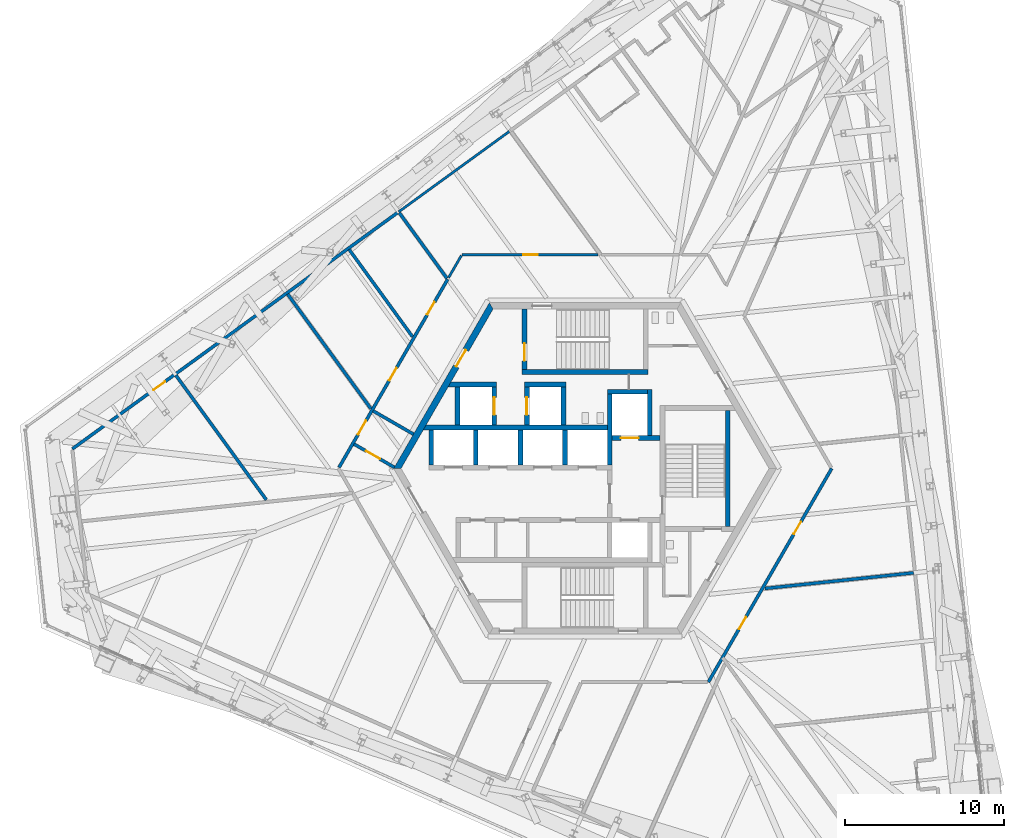
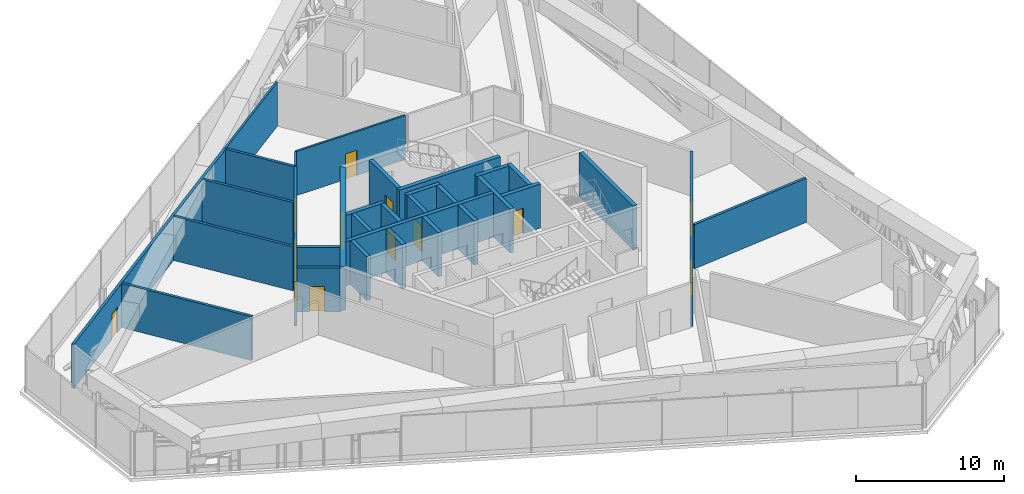
# One storey, part 19 of 30: 32 walls, 13 doors, 13 openings.
"""IFC4 building model written with IfcOpenShell, lengths in metres."""

from ifc_helpers import new_model, si_unit, direction, frame, frame_2d, origin, place, context, subcontext, project, spatial, polyline, rectangle, outline, extrude, source, transform, mapped, material, layer, layer_set, type_object, element, fill, save


model = new_model("IFC4")

# Units and contexts
model_context = context("Model", 3, precision=1e-05, world=origin(), true_north=direction((0.0, 1.0)))
body_context = subcontext(model_context, "Body", "Model", "MODEL_VIEW")
ifc_project = project(units=[si_unit("LENGTHUNIT", "METRE"), si_unit("AREAUNIT", "SQUARE_METRE"), si_unit("VOLUMEUNIT", "CUBIC_METRE"), si_unit("PLANEANGLEUNIT", "RADIAN"), si_unit("MASSUNIT", "GRAM", prefix="KILO")], contexts=[model_context])

# Site, building, storey
site_placement = place(None, origin())
site = spatial("IfcSite", under=ifc_project, at=site_placement, CompositionType="ELEMENT")
building_placement = place(site_placement, origin())
building = spatial("IfcBuilding", under=site, at=building_placement, Name="Triune Harvest Tower", CompositionType="ELEMENT")
storey_placement = place(building_placement, frame((0.0, 0.0, 94.5)))
storey = spatial("IfcBuildingStorey", under=building, at=storey_placement, Name="L23", CompositionType="ELEMENT", Elevation=94.5)

# Walls
ifc_material_1 = material(Name="Concrete 70 MPa", Category="concrete")
ifc_layer_1 = layer(ifc_material_1, 0.300048828125)
ifc_layer_set_1 = layer_set([ifc_layer_1], Name="Concrete 70 MPa")
wall_type_1 = type_object("IfcWallType", Name="Core wall 300", PredefinedType="SHEAR", material=ifc_layer_set_1)
wall_1_placement = place(storey_placement, frame((-9.800048828125, 2.56005859375, 0.0), z_axis=(0.0, 0.0, 1.0), x_axis=(1.0, 0.0, 0.0)))
element("IfcWall", 1, at=wall_1_placement, inside=storey, type_object=wall_type_1, Name="North back wall", PredefinedType="SHEAR", context=body_context, shape_type="SweptSolid", body=[
    extrude(outline(polyline([(11.199951171875, -0.14990234375), (-0.34912109375, -0.14990234375), (-0.17578125, 0.14990234375), (11.199951171875, 0.14990234375), (11.199951171875, -0.14990234375)])), origin(), (0.0, 0.0, 1.0), 3.639892578125),
])
wall_2_placement = place(storey_placement, frame((1.550048828125, 0.2099609375, 0.0), z_axis=(0.0, 0.0, 1.0), x_axis=(0.0, 1.0, 0.0)))
element("IfcWall", 2, at=wall_2_placement, inside=storey, type_object=wall_type_1, Name="Ff1 west wall", PredefinedType="SHEAR", context=body_context, shape_type="SweptSolid", body=[
    extrude(rectangle(XDim=4.449951171875, YDim=0.300048828125, at=frame_2d((2.22509765625, 0.0))), origin(), (0.0, 0.0, 1.0), 3.639892578125),
])
wall_3_placement = place(storey_placement, frame((4.050048828125, 2.06005859375, 0.0), z_axis=(0.0, 0.0, 1.0), x_axis=(0.0, 1.0, 0.0)))
element("IfcWall", 3, at=wall_3_placement, inside=storey, type_object=wall_type_1, Name="Ff1 east wall", PredefinedType="SHEAR", context=body_context, shape_type="SweptSolid", body=[
    extrude(rectangle(XDim=2.89990234375, YDim=0.300048828125, at=frame_2d((1.449951171875, 0.0))), origin(), (0.0, 0.0, 1.0), 3.639892578125),
])
wall_4_placement = place(storey_placement, frame((8.949951171875, -3.64990234375, 0.0), z_axis=(0.0, 0.0, 1.0), x_axis=(0.0, 1.0, 0.0)))
element("IfcWall", 4, at=wall_4_placement, inside=storey, type_object=wall_type_1, Name="Stair e east wall", PredefinedType="SHEAR", context=body_context, shape_type="SweptSolid", body=[
    extrude(rectangle(XDim=7.2998046875, YDim=0.300048828125, at=frame_2d((3.64990234375, 0.0))), origin(), (0.0, 0.0, 1.0), 3.639892578125),
])
wall_5_placement = place(storey_placement, frame((-3.949951171875, 6.0400390625, 0.0), z_axis=(0.0, 0.0, 1.0), x_axis=(1.0, 0.0, 0.0)))
element("IfcWall", 5, at=wall_5_placement, inside=storey, type_object=wall_type_1, Name="Stair n south wall", PredefinedType="SHEAR", context=body_context, shape_type="SweptSolid", body=[
    extrude(rectangle(XDim=7.89990234375, YDim=0.300048828125, at=frame_2d((3.949951171875, 0.0))), origin(), (0.0, 0.0, 1.0), 3.639892578125),
])
wall_6_placement = place(storey_placement, frame((-8.14990234375, 5.260009765625, 0.0), z_axis=(0.0, 0.0, 1.0), x_axis=(1.0, 0.0, 0.0)))
element("IfcWall", 6, at=wall_6_placement, inside=storey, type_object=wall_type_1, Name="Sv1 north wall", PredefinedType="SHEAR", context=body_context, shape_type="SweptSolid", body=[
    extrude(outline(polyline([(2.60009765625, -0.14990234375), (-0.440185546875, -0.14990234375), (-0.26708984375, 0.14990234375), (2.60009765625, 0.14990234375), (2.60009765625, -0.14990234375)])), origin(), (0.0, 0.0, 1.0), 3.639892578125),
])
wall_7_placement = place(storey_placement, frame((-3.800048828125, 5.260009765625, 0.0), z_axis=(0.0, 0.0, 1.0), x_axis=(1.0, 0.0, 0.0)))
element("IfcWall", 7, at=wall_7_placement, inside=storey, type_object=wall_type_1, Name="Sv2 north wall", PredefinedType="SHEAR", context=body_context, shape_type="SweptSolid", body=[
    extrude(rectangle(XDim=2.60009765625, YDim=0.300048828125, at=frame_2d((1.300048828125, 0.0))), origin(), (0.0, 0.0, 1.0), 3.639892578125),
])

# Wall, opening, door
ifc_material_2 = material(Name="Gypsum board on steel studs", Category="steel")
ifc_layer_2 = layer(ifc_material_2, 0.14990234375)
ifc_layer_set_2 = layer_set([ifc_layer_2], Name="Gypsum board on steel studs")
wall_type_2 = type_object("IfcWallType", Name="Fire Partition 150 mm", PredefinedType="PARTITIONING", material=ifc_layer_set_2)
wall_8_placement = place(storey_placement, frame((-7.732177734375, 13.392333984375, 0.0), z_axis=(0.0, 0.0, 1.0), x_axis=(1.0, 0.0, 0.0)))
wall_8 = element("IfcWall", 8, at=wall_8_placement, inside=storey, type_object=wall_type_2, Name="Partition L23 030", PredefinedType="PARTITIONING", context=body_context, shape_type="SweptSolid", body=[
    extrude(rectangle(XDim=8.555419921875, YDim=0.14990234375, at=frame_2d((4.27783203125, 0.0))), origin(), (0.0, 0.0, 1.0), 3.639892578125),
])
opening_1_placement = place(wall_8_placement, frame((3.859130859375, 0.0, 0.0)))
opening_1 = element("IfcOpeningElement", 9, at=opening_1_placement, cuts=wall_8, Name="Opening L23-010", PredefinedType="OPENING", context=body_context, shape_type="SweptSolid", body=[
    extrude(rectangle(XDim=0.89990234375, YDim=2.10009765625, at=frame_2d((0.449951171875, 1.050048828125))), frame((0.0, 0.0849609375, 0.0), z_axis=(0.0, -1.0, 0.0), x_axis=(1.0, 0.0, 0.0)), (0.0, 0.0, 1.0), 0.169921875),
])
ifc_material_3 = material(Name="Timber and steel door set", Category="steel")
door_type_1 = type_object("IfcDoorType", Name="Single leaf door FD30 left hand 900 x 2100", OperationType="SINGLE_SWING_LEFT", PredefinedType="DOOR", material=ifc_material_3)
door_1_placement = place(opening_1_placement, origin())
door_1 = element("IfcDoor", 10, at=door_1_placement, inside=storey, type_object=door_type_1, Name="Door L23-010 Dry Store Room 23.10", OperationType="SINGLE_SWING_LEFT", OverallHeight=2.10009765625, OverallWidth=0.89990234375, PredefinedType="DOOR", context=body_context, shape_type="SweptSolid", body=[
    extrude(rectangle(XDim=0.89990234375, YDim=2.10009765625, at=frame_2d((0.449951171875, 1.050048828125))), frame((0.0, 0.02490234375, 0.0), z_axis=(0.0, -1.0, 0.0), x_axis=(1.0, 0.0, 0.0)), (0.0, 0.0, 1.0), 0.050048828125),
])
fill(opening_1, door_1)

# Walls
wall_9_placement = place(storey_placement, frame((-11.687255859375, 16.091064453125, 0.0), z_axis=(0.0, 0.0, 1.0), x_axis=(0.809001907601, 0.587806016896, 0.0)))
element("IfcWall", 11, at=wall_9_placement, inside=storey, type_object=wall_type_2, Name="Partition L23 045", PredefinedType="PARTITIONING", context=body_context, shape_type="SweptSolid", body=[
    extrude(rectangle(XDim=8.575927734375, YDim=0.14990234375, at=frame_2d((4.2880859375, 0.0))), origin(), (0.0, 0.0, 1.0), 3.639892578125),
])
ifc_material_4 = material(Name="Gypsum board on steel studs", Category="steel")
ifc_layer_3 = layer(ifc_material_4, 0.199951171875)
ifc_layer_set_3 = layer_set([ifc_layer_3], Name="Gypsum board on steel studs")
wall_type_3 = type_object("IfcWallType", Name="Fire Wall 200 mm", PredefinedType="PARTITIONING", material=ifc_layer_set_3)
wall_10_placement = place(storey_placement, frame((-18.650634765625, 10.933349609375, 0.0), z_axis=(0.0, 0.0, 1.0), x_axis=(0.587800328726, -0.809006040491, 0.0)))
element("IfcWall", 12, at=wall_10_placement, inside=storey, type_object=wall_type_3, Name="Partition L23 010", PredefinedType="PARTITIONING", context=body_context, shape_type="SweptSolid", body=[
    extrude(rectangle(XDim=8.874755859375, YDim=0.199951171875, at=frame_2d((4.4375, 0.0))), origin(), (0.0, 0.0, 1.0), 3.639892578125),
])
wall_11_placement = place(storey_placement, frame((-14.79638671875, 13.733642578125, 0.0), z_axis=(0.0, 0.0, 1.0), x_axis=(0.587801927349, -0.809004878975, 0.0)))
element("IfcWall", 13, at=wall_11_placement, inside=storey, type_object=wall_type_3, Name="Partition L23 011", PredefinedType="PARTITIONING", context=body_context, shape_type="SweptSolid", body=[
    extrude(rectangle(XDim=6.75341796875, YDim=0.199951171875, at=frame_2d((3.376708984375, 0.0))), origin(), (0.0, 0.0, 1.0), 3.639892578125),
])
wall_12_placement = place(storey_placement, frame((-11.6435546875, 16.0244140625, 0.0), z_axis=(0.0, 0.0, 1.0), x_axis=(0.587808609928, -0.809000023544, 0.0)))
element("IfcWall", 14, at=wall_12_placement, inside=storey, type_object=wall_type_3, Name="Partition L23 012", PredefinedType="PARTITIONING", context=body_context, shape_type="SweptSolid", body=[
    extrude(rectangle(XDim=5.078369140625, YDim=0.199951171875, at=frame_2d((2.5390625, 0.0))), origin(), (0.0, 0.0, 1.0), 3.639892578125),
])

# Wall, opening, door
wall_13_placement = place(storey_placement, frame((-14.48828125, 1.52978515625, 0.0), z_axis=(0.0, 0.0, 1.0), x_axis=(0.866011526754, -0.500024034951, 0.0)))
wall_13 = element("IfcWall", 15, at=wall_13_placement, inside=storey, type_object=wall_type_3, Name="Partition L23 023", PredefinedType="PARTITIONING", context=body_context, shape_type="SweptSolid", body=[
    extrude(rectangle(XDim=2.919677734375, YDim=0.199951171875, at=frame_2d((1.4599609375, 0.0))), origin(), (0.0, 0.0, 1.0), 3.639892578125),
])
opening_2_placement = place(wall_13_placement, frame((0.8701171875, 0.0, 0.0)))
opening_2 = element("IfcOpeningElement", 16, at=opening_2_placement, cuts=wall_13, Name="Opening L23-021", PredefinedType="OPENING", context=body_context, shape_type="SweptSolid", body=[
    extrude(rectangle(XDim=1.0, YDim=2.10009765625, at=frame_2d((0.5, 1.050048828125))), frame((0.0, 0.10986328125, 0.0), z_axis=(0.0, -1.0, 0.0), x_axis=(1.0, 0.0, 0.0)), (0.0, 0.0, 1.0), 0.219970703125),
])
ifc_material_5 = material(Name="Timber and steel door set", Category="steel")
door_type_2 = type_object("IfcDoorType", Name="Wide single leaf door FD60 left hand 1000 x 2100", OperationType="SINGLE_SWING_LEFT", PredefinedType="DOOR", material=ifc_material_5)
door_2_placement = place(opening_2_placement, origin())
door_2 = element("IfcDoor", 17, at=door_2_placement, inside=storey, type_object=door_type_2, Name="Door L23-021 Refuge Lobby 23.21", OperationType="SINGLE_SWING_LEFT", OverallHeight=2.10009765625, OverallWidth=1.0, PredefinedType="DOOR", context=body_context, shape_type="SweptSolid", body=[
    extrude(rectangle(XDim=1.0, YDim=2.10009765625, at=frame_2d((0.5, 1.050048828125))), frame((0.0, 0.02490234375, 0.0), z_axis=(0.0, -1.0, 0.0), x_axis=(1.0, 0.0, 0.0)), (0.0, 0.0, 1.0), 0.050048828125),
])
fill(opening_2, door_2)

# Walls
wall_14_placement = place(storey_placement, frame((-13.288330078125, 3.6083984375, 0.0), z_axis=(0.0, 0.0, 1.0), x_axis=(0.866032430508, -0.49998782916, 0.0)))
element("IfcWall", 18, at=wall_14_placement, inside=storey, type_object=wall_type_3, Name="Partition L23 024", PredefinedType="PARTITIONING", context=body_context, shape_type="SweptSolid", body=[
    extrude(rectangle(XDim=2.919921875, YDim=0.199951171875, at=frame_2d((1.4599609375, 0.0))), origin(), (0.0, 0.0, 1.0), 3.639892578125),
])
wall_15_placement = place(storey_placement, frame((11.27880859375, -7.5244140625, 0.0), z_axis=(0.0, 0.0, 1.0), x_axis=(0.994521561603, 0.104531638782, 0.0)))
element("IfcWall", 19, at=wall_15_placement, inside=storey, type_object=wall_type_3, Name="Partition L23 036", PredefinedType="PARTITIONING", context=body_context, shape_type="SweptSolid", body=[
    extrude(rectangle(XDim=9.377197265625, YDim=0.199951171875, at=frame_2d((4.6884765625, 0.0))), origin(), (0.0, 0.0, 1.0), 3.639892578125),
])

# Wall, opening, door
wall_16_placement = place(storey_placement, frame((-32.150390625, 1.22314453125, 0.0), z_axis=(0.0, 0.0, 1.0), x_axis=(0.809006047826, 0.587800318629, 0.0)))
wall_16 = element("IfcWall", 20, at=wall_16_placement, inside=storey, type_object=wall_type_3, Name="Partition L23 044", PredefinedType="PARTITIONING", context=body_context, shape_type="SweptSolid", body=[
    extrude(rectangle(XDim=25.294189453125, YDim=0.199951171875, at=frame_2d((12.64697265625, 0.0))), origin(), (0.0, 0.0, 1.0), 3.639892578125),
])
opening_3_placement = place(wall_16_placement, frame((6.30029296875, 0.0, 0.0)))
opening_3 = element("IfcOpeningElement", 21, at=opening_3_placement, cuts=wall_16, Name="Opening L23-014", PredefinedType="OPENING", context=body_context, shape_type="SweptSolid", body=[
    extrude(rectangle(XDim=0.89990234375, YDim=2.10009765625, at=frame_2d((0.449951171875, 1.050048828125))), frame((0.0, 0.10986328125, 0.0), z_axis=(0.0, -1.0, 0.0), x_axis=(1.0, 0.0, 0.0)), (0.0, 0.0, 1.0), 0.219970703125),
])
ifc_material_6 = material(Name="Timber and steel door set", Category="steel")
door_type_3 = type_object("IfcDoorType", Name="Single leaf door FD60 right hand 900 x 2100", OperationType="SINGLE_SWING_RIGHT", PredefinedType="DOOR", material=ifc_material_6)
door_3_placement = place(opening_3_placement, origin())
door_3 = element("IfcDoor", 22, at=door_3_placement, inside=storey, type_object=door_type_3, Name="Door L23-014 Switchgear Plant Room 23.14", OperationType="SINGLE_SWING_RIGHT", OverallHeight=2.10009765625, OverallWidth=0.89990234375, PredefinedType="DOOR", context=body_context, shape_type="SweptSolid", body=[
    extrude(rectangle(XDim=0.89990234375, YDim=2.10009765625, at=frame_2d((0.449951171875, 1.050048828125))), frame((0.0, 0.02490234375, 0.0), z_axis=(0.0, -1.0, 0.0), x_axis=(1.0, 0.0, 0.0)), (0.0, 0.0, 1.0), 0.050048828125),
])
fill(opening_3, door_3)

# Wall, openings, doors
wall_17_placement = place(storey_placement, frame((7.732177734375, -13.392333984375, 0.0), z_axis=(0.0, 0.0, 1.0), x_axis=(0.499993499245, 0.866029156965, 0.0)))
wall_17 = element("IfcWall", 23, at=wall_17_placement, inside=storey, type_object=wall_type_3, Name="Partition L23 049", PredefinedType="PARTITIONING", context=body_context, shape_type="SweptSolid", body=[
    extrude(rectangle(XDim=15.464111328125, YDim=0.199951171875, at=frame_2d((7.73193359375, 0.0))), origin(), (0.0, 0.0, 1.0), 3.639892578125),
])
opening_4_placement = place(wall_17_placement, frame((3.8193359375, 0.0, 0.0)))
opening_4 = element("IfcOpeningElement", 24, at=opening_4_placement, cuts=wall_17, Name="Opening L23-002", PredefinedType="OPENING", context=body_context, shape_type="SweptSolid", body=[
    extrude(rectangle(XDim=0.89990234375, YDim=2.10009765625, at=frame_2d((0.449951171875, 1.050048828125))), frame((0.0, 0.10986328125, 0.0), z_axis=(0.0, -1.0, 0.0), x_axis=(1.0, 0.0, 0.0)), (0.0, 0.0, 1.0), 0.219970703125),
])
opening_5_placement = place(wall_17_placement, frame((10.705078125, 0.0, 0.0)))
opening_5 = element("IfcOpeningElement", 25, at=opening_5_placement, cuts=wall_17, Name="Opening L23-003", PredefinedType="OPENING", context=body_context, shape_type="SweptSolid", body=[
    extrude(rectangle(XDim=0.89990234375, YDim=2.10009765625, at=frame_2d((0.449951171875, 1.050048828125))), frame((0.0, 0.10986328125, 0.0), z_axis=(0.0, -1.0, 0.0), x_axis=(1.0, 0.0, 0.0)), (0.0, 0.0, 1.0), 0.219970703125),
])
ifc_material_7 = material(Name="Timber and steel door set", Category="steel")
door_type_4 = type_object("IfcDoorType", Name="Single leaf door FD60 left hand 900 x 2100", OperationType="SINGLE_SWING_LEFT", PredefinedType="DOOR", material=ifc_material_7)
door_4_placement = place(opening_5_placement, origin())
door_4 = element("IfcDoor", 26, at=door_4_placement, inside=storey, type_object=door_type_4, Name="Door L23-003 Stair Pressurisation Fan Room 23.03", OperationType="SINGLE_SWING_LEFT", OverallHeight=2.10009765625, OverallWidth=0.89990234375, PredefinedType="DOOR", context=body_context, shape_type="SweptSolid", body=[
    extrude(rectangle(XDim=0.89990234375, YDim=2.10009765625, at=frame_2d((0.449951171875, 1.050048828125))), frame((0.0, 0.02490234375, 0.0), z_axis=(0.0, -1.0, 0.0), x_axis=(1.0, 0.0, 0.0)), (0.0, 0.0, 1.0), 0.050048828125),
])
fill(opening_5, door_4)
door_5_placement = place(opening_4_placement, origin())
door_5 = element("IfcDoor", 27, at=door_5_placement, inside=storey, type_object=door_type_3, Name="Door L23-002 Fire Pump Room 23.02", OperationType="SINGLE_SWING_RIGHT", OverallHeight=2.10009765625, OverallWidth=0.89990234375, PredefinedType="DOOR", context=body_context, shape_type="SweptSolid", body=[
    extrude(rectangle(XDim=0.89990234375, YDim=2.10009765625, at=frame_2d((0.449951171875, 1.050048828125))), frame((0.0, 0.02490234375, 0.0), z_axis=(0.0, -1.0, 0.0), x_axis=(1.0, 0.0, 0.0)), (0.0, 0.0, 1.0), 0.050048828125),
])
fill(opening_4, door_5)

wall_18_placement = place(storey_placement, frame((-15.42919921875, 0.060546875, 0.0), z_axis=(0.0, 0.0, 1.0), x_axis=(0.500009852283, 0.866019715491, 0.0)))
wall_18 = element("IfcWall", 28, at=wall_18_placement, inside=storey, type_object=wall_type_3, Name="Partition L23 050", PredefinedType="PARTITIONING", context=body_context, shape_type="SweptSolid", body=[
    extrude(rectangle(XDim=13.628173828125, YDim=0.199951171875, at=frame_2d((6.81396484375, 0.0))), origin(), (0.0, 0.0, 1.0), 3.639892578125),
])
opening_6_placement = place(wall_18_placement, frame((6.307861328125, 0.0, 0.0)))
opening_6 = element("IfcOpeningElement", 29, at=opening_6_placement, cuts=wall_18, Name="Opening L23-011", PredefinedType="OPENING", context=body_context, shape_type="SweptSolid", body=[
    extrude(rectangle(XDim=0.89990234375, YDim=2.10009765625, at=frame_2d((0.449951171875, 1.050048828125))), frame((0.0, 0.10986328125, 0.0), z_axis=(0.0, -1.0, 0.0), x_axis=(1.0, 0.0, 0.0)), (0.0, 0.0, 1.0), 0.219970703125),
])
opening_7_placement = place(wall_18_placement, frame((11.074951171875, 0.0, 0.0)))
opening_7 = element("IfcOpeningElement", 30, at=opening_7_placement, cuts=wall_18, Name="Opening L23-012", PredefinedType="OPENING", context=body_context, shape_type="SweptSolid", body=[
    extrude(rectangle(XDim=0.89990234375, YDim=2.10009765625, at=frame_2d((0.449951171875, 1.050048828125))), frame((0.0, 0.10986328125, 0.0), z_axis=(0.0, -1.0, 0.0), x_axis=(1.0, 0.0, 0.0)), (0.0, 0.0, 1.0), 0.219970703125),
])
opening_8_placement = place(wall_18_placement, frame((2.392822265625, 0.0, 0.0)))
opening_8 = element("IfcOpeningElement", 31, at=opening_8_placement, cuts=wall_18, Name="Opening L23-013", PredefinedType="OPENING", context=body_context, shape_type="SweptSolid", body=[
    extrude(rectangle(XDim=1.0, YDim=2.10009765625, at=frame_2d((0.5, 1.050048828125))), frame((0.0, 0.10986328125, 0.0), z_axis=(0.0, -1.0, 0.0), x_axis=(1.0, 0.0, 0.0)), (0.0, 0.0, 1.0), 0.219970703125),
])
door_6_placement = place(opening_6_placement, origin())
door_6 = element("IfcDoor", 32, at=door_6_placement, inside=storey, type_object=door_type_4, Name="Door L23-011 Telecom Plant Room 23.11", OperationType="SINGLE_SWING_LEFT", OverallHeight=2.10009765625, OverallWidth=0.89990234375, PredefinedType="DOOR", context=body_context, shape_type="SweptSolid", body=[
    extrude(rectangle(XDim=0.89990234375, YDim=2.10009765625, at=frame_2d((0.449951171875, 1.050048828125))), frame((0.0, 0.02490234375, 0.0), z_axis=(0.0, -1.0, 0.0), x_axis=(1.0, 0.0, 0.0)), (0.0, 0.0, 1.0), 0.050048828125),
])
fill(opening_6, door_6)
door_7_placement = place(opening_7_placement, origin())
door_7 = element("IfcDoor", 33, at=door_7_placement, inside=storey, type_object=door_type_3, Name="Door L23-012 Electrical Plant Room 23.12", OperationType="SINGLE_SWING_RIGHT", OverallHeight=2.10009765625, OverallWidth=0.89990234375, PredefinedType="DOOR", context=body_context, shape_type="SweptSolid", body=[
    extrude(rectangle(XDim=0.89990234375, YDim=2.10009765625, at=frame_2d((0.449951171875, 1.050048828125))), frame((0.0, 0.02490234375, 0.0), z_axis=(0.0, -1.0, 0.0), x_axis=(1.0, 0.0, 0.0)), (0.0, 0.0, 1.0), 0.050048828125),
])
fill(opening_7, door_7)
door_8_placement = place(opening_8_placement, origin())
door_8 = element("IfcDoor", 34, at=door_8_placement, inside=storey, type_object=door_type_2, Name="Door L23-013 Refuge Area 23.13", OperationType="SINGLE_SWING_LEFT", OverallHeight=2.10009765625, OverallWidth=1.0, PredefinedType="DOOR", context=body_context, shape_type="SweptSolid", body=[
    extrude(rectangle(XDim=1.0, YDim=2.10009765625, at=frame_2d((0.5, 1.050048828125))), frame((0.0, 0.02490234375, 0.0), z_axis=(0.0, -1.0, 0.0), x_axis=(1.0, 0.0, 0.0)), (0.0, 0.0, 1.0), 0.050048828125),
])
fill(opening_8, door_8)

# Wall, opening, door
ifc_material_8 = material(Name="Concrete 70 MPa", Category="concrete")
ifc_layer_4 = layer(ifc_material_8, 0.39990234375)
ifc_layer_set_4 = layer_set([ifc_layer_4], Name="Concrete 70 MPa")
wall_type_4 = type_object("IfcWallType", Name="Core wall 400", PredefinedType="SHEAR", material=ifc_layer_set_4)
shared_shape_1 = source(origin(), body_context, "Body", "SweptSolid", [
    extrude(outline(polyline([(-0.115478515625, -0.199951171875), (11.884521484375, -0.199951171875), (11.653564453125, 0.199951171875), (0.115478515625, 0.199951171875), (-0.115478515625, -0.199951171875)])), origin(), (0.0, 0.0, 1.0), 3.639892578125),
])
wall_19_placement = place(storey_placement, frame((-5.884521484375, 10.1923828125, 0.0), z_axis=(0.0, 0.0, 1.0), x_axis=(-0.499996592174, -0.866027371285, 0.0)))
wall_19 = element("IfcWall", 35, at=wall_19_placement, inside=storey, type_object=wall_type_4, Name="Hexagon 2 wall", PredefinedType="SHEAR", context=body_context, shape_type="MappedRepresentation", body=[
    mapped(shared_shape_1, transform((0.0, 0.0, 0.0), scale=1.0)),
])
opening_9_placement = place(wall_19_placement, frame((3.1845703125, 0.0, 0.0)))
opening_9 = element("IfcOpeningElement", 36, at=opening_9_placement, cuts=wall_19, Name="Opening CD-SVP", PredefinedType="OPENING", context=body_context, shape_type="SweptSolid", body=[
    extrude(rectangle(XDim=1.199951171875, YDim=2.10009765625, at=frame_2d((0.60009765625, 1.050048828125))), frame((0.0, 0.2099609375, 0.0), z_axis=(0.0, -1.0, 0.0), x_axis=(1.0, 0.0, 0.0)), (0.0, 0.0, 1.0), 0.419921875),
])
ifc_material_9 = material(Name="Steel S235", Category="steel")
door_type_5 = type_object("IfcDoorType", Name="Service door 1200 FD120", OperationType="SINGLE_SWING_LEFT", PredefinedType="DOOR", material=ifc_material_9)
door_9_placement = place(opening_9_placement, frame((1.199951171875, 0.0, 0.0), z_axis=(0.0, 0.0, 1.0), x_axis=(-1.0, 0.0, 0.0)))
door_9 = element("IfcDoor", 37, at=door_9_placement, inside=storey, type_object=door_type_5, Name="Door CD-SVP", OperationType="SINGLE_SWING_RIGHT", OverallHeight=2.10009765625, OverallWidth=1.199951171875, PredefinedType="DOOR", context=body_context, shape_type="SweptSolid", body=[
    extrude(rectangle(XDim=1.199951171875, YDim=2.10009765625, at=frame_2d((0.60009765625, 1.050048828125))), frame((0.0, 0.02490234375, 0.0), z_axis=(0.0, -1.0, 0.0), x_axis=(1.0, 0.0, 0.0)), (0.0, 0.0, 1.0), 0.050048828125),
])
fill(opening_9, door_9)

# Wall
shared_shape_2 = source(origin(), body_context, "Body", "SweptSolid", [
    extrude(rectangle(XDim=2.5, YDim=0.300048828125, at=frame_2d((1.25, 0.0))), origin(), (0.0, 0.0, 1.0), 3.639892578125),
])
wall_20_placement = place(storey_placement, frame((1.39990234375, 4.81005859375, 0.0), z_axis=(0.0, 0.0, 1.0), x_axis=(1.0, 0.0, 0.0)))
element("IfcWall", 38, at=wall_20_placement, inside=storey, type_object=wall_type_1, Name="Ff1 back wall", PredefinedType="SHEAR", context=body_context, shape_type="MappedRepresentation", body=[
    mapped(shared_shape_2, transform((0.0, 0.0, 0.0), scale=1.0)),
])

# Wall, opening, door
shared_shape_3 = source(origin(), body_context, "Body", "SweptSolid", [
    extrude(rectangle(XDim=3.0, YDim=0.300048828125, at=frame_2d((1.5, 0.0))), origin(), (0.0, 0.0, 1.0), 3.639892578125),
])
wall_21_placement = place(storey_placement, frame((1.699951171875, 1.909912109375, 0.0), z_axis=(0.0, 0.0, 1.0), x_axis=(1.0, 0.0, 0.0)))
wall_21 = element("IfcWall", 39, at=wall_21_placement, inside=storey, type_object=wall_type_1, Name="Ff1 front wall", PredefinedType="SHEAR", context=body_context, shape_type="MappedRepresentation", body=[
    mapped(shared_shape_3, transform((0.0, 0.0, 0.0), scale=1.0)),
])
opening_10_placement = place(wall_21_placement, frame((0.550048828125, 0.0, 0.0)))
opening_10 = element("IfcOpeningElement", 40, at=opening_10_placement, cuts=wall_21, Name="Opening LD-FF1-23", PredefinedType="OPENING", context=body_context, shape_type="SweptSolid", body=[
    extrude(rectangle(XDim=1.10009765625, YDim=2.10009765625, at=frame_2d((0.550048828125, 1.050048828125))), frame((0.0, 0.16015625, 0.0), z_axis=(0.0, -1.0, 0.0), x_axis=(1.0, 0.0, 0.0)), (0.0, 0.0, 1.0), 0.320068359375),
])
ifc_material_10 = material(Name="Stainless steel AISI 304", Category="steel")
door_type_6 = type_object("IfcDoorType", Name="Landing door 1100 x 2100", OperationType="DOUBLE_DOOR_SLIDING", PredefinedType="DOOR", material=ifc_material_10)
door_10_placement = place(opening_10_placement, origin())
door_10 = element("IfcDoor", 41, at=door_10_placement, inside=storey, type_object=door_type_6, Name="Door LD-FF1-23", OperationType="DOUBLE_DOOR_SLIDING", OverallHeight=2.10009765625, OverallWidth=1.10009765625, PredefinedType="DOOR", context=body_context, shape_type="SweptSolid", body=[
    extrude(rectangle(XDim=1.10009765625, YDim=2.10009765625, at=frame_2d((0.550048828125, 1.050048828125))), frame((0.0, 0.02490234375, 0.0), z_axis=(0.0, -1.0, 0.0), x_axis=(1.0, 0.0, 0.0)), (0.0, 0.0, 1.0), 0.050048828125),
])
fill(opening_10, door_10)

# Walls
shared_shape_4 = source(origin(), body_context, "Body", "SweptSolid", [
    extrude(rectangle(XDim=2.199951171875, YDim=0.300048828125, at=frame_2d((1.10009765625, 0.0))), origin(), (0.0, 0.0, 1.0), 3.639892578125),
])
for number, where, z_axis, x_axis, name in (
    (42, (-9.64990234375, 0.2099609375, 0.0), (0.0, 0.0, 1.0), (0.0, 1.0, 0.0), "North end west wall"),
    (43, (-6.85009765625, 0.2099609375, 0.0), (0.0, 0.0, 1.0), (0.0, 1.0, 0.0), "North cross 1 wall"),
    (44, (-4.050048828125, 0.2099609375, 0.0), (0.0, 0.0, 1.0), (0.0, 1.0, 0.0), "North cross 2 wall"),
    (45, (-1.25, 0.2099609375, 0.0), (0.0, 0.0, 1.0), (0.0, 1.0, 0.0), "North cross 3 wall"),
):
    element("IfcWall", number, at=place(storey_placement, frame(where, z_axis=z_axis, x_axis=x_axis)), inside=storey, type_object=wall_type_1, Name=name, PredefinedType="SHEAR", context=body_context, shape_type="MappedRepresentation", body=[
        mapped(shared_shape_4, transform((0.0, 0.0, 0.0), scale=1.0)),
    ])

# Wall, opening, door
shared_shape_5 = source(origin(), body_context, "Body", "SweptSolid", [
    extrude(outline(polyline([(0.0, -0.14990234375), (0.0, 0.14990234375), (3.80419921875, 0.14990234375), (3.80419921875, -0.14990234375), (0.0, -0.14990234375)])), origin(), (0.0, 0.0, 1.0), 3.639892578125),
])
wall_22_placement = place(storey_placement, frame((-3.800048828125, 6.18994140625, 0.0), z_axis=(0.0, 0.0, 1.0), x_axis=(0.0, 1.0, 0.0)))
wall_22 = element("IfcWall", 46, at=wall_22_placement, inside=storey, type_object=wall_type_1, Name="Stair n west wall", PredefinedType="SHEAR", context=body_context, shape_type="MappedRepresentation", body=[
    mapped(shared_shape_5, transform((0.0, 0.0, 0.0), scale=1.0)),
])
opening_11_placement = place(wall_22_placement, frame((0.56005859375, 0.0, 0.0)))
opening_11 = element("IfcOpeningElement", 47, at=opening_11_placement, cuts=wall_22, Name="Opening CD-S1L", PredefinedType="OPENING", context=body_context, shape_type="SweptSolid", body=[
    extrude(rectangle(XDim=1.10009765625, YDim=2.10009765625, at=frame_2d((0.550048828125, 1.050048828125))), frame((0.0, 0.16015625, 0.0), z_axis=(0.0, -1.0, 0.0), x_axis=(1.0, 0.0, 0.0)), (0.0, 0.0, 1.0), 0.320068359375),
])
ifc_material_11 = material(Name="Steel S235", Category="steel")
door_type_7 = type_object("IfcDoorType", Name="Stair door 1100 FD120", OperationType="SINGLE_SWING_LEFT", PredefinedType="DOOR", material=ifc_material_11)
door_11_placement = place(opening_11_placement, frame((1.10009765625, 0.0, 0.0), z_axis=(0.0, 0.0, 1.0), x_axis=(-1.0, 0.0, 0.0)))
door_11 = element("IfcDoor", 48, at=door_11_placement, inside=storey, type_object=door_type_7, Name="Door CD-S1L", OperationType="SINGLE_SWING_RIGHT", OverallHeight=2.10009765625, OverallWidth=1.10009765625, PredefinedType="DOOR", context=body_context, shape_type="SweptSolid", body=[
    extrude(rectangle(XDim=1.10009765625, YDim=2.10009765625, at=frame_2d((0.550048828125, 1.050048828125))), frame((0.0, 0.02490234375, 0.0), z_axis=(0.0, -1.0, 0.0), x_axis=(1.0, 0.0, 0.0)), (0.0, 0.0, 1.0), 0.050048828125),
])
fill(opening_11, door_11)

# Wall
shared_shape_6 = source(origin(), body_context, "Body", "SweptSolid", [
    extrude(rectangle(XDim=2.400146484375, YDim=0.300048828125, at=frame_2d((1.2001953125, 0.0))), origin(), (0.0, 0.0, 1.0), 3.639892578125),
])
wall_23_placement = place(storey_placement, frame((-8.0, 2.7099609375, 0.0), z_axis=(0.0, 0.0, 1.0), x_axis=(0.0, 1.0, 0.0)))
element("IfcWall", 49, at=wall_23_placement, inside=storey, type_object=wall_type_1, Name="Sv1 west wall", PredefinedType="SHEAR", context=body_context, shape_type="MappedRepresentation", body=[
    mapped(shared_shape_6, transform((0.0, 0.0, 0.0), scale=1.0)),
])

# Wall, opening, door
wall_24_placement = place(storey_placement, frame((-5.699951171875, 2.7099609375, 0.0), z_axis=(0.0, 0.0, 1.0), x_axis=(0.0, 1.0, 0.0)))
wall_24 = element("IfcWall", 50, at=wall_24_placement, inside=storey, type_object=wall_type_1, Name="Sv1 east wall", PredefinedType="SHEAR", context=body_context, shape_type="MappedRepresentation", body=[
    mapped(shared_shape_6, transform((0.0, 0.0, 0.0), scale=1.0)),
])
opening_12_placement = place(wall_24_placement, frame((0.64990234375, 0.0, 0.0)))
opening_12 = element("IfcOpeningElement", 51, at=opening_12_placement, cuts=wall_24, Name="Opening LD-SV1-23", PredefinedType="OPENING", context=body_context, shape_type="SweptSolid", body=[
    extrude(rectangle(XDim=1.10009765625, YDim=2.10009765625, at=frame_2d((0.550048828125, 1.050048828125))), frame((0.0, 0.16015625, 0.0), z_axis=(0.0, -1.0, 0.0), x_axis=(1.0, 0.0, 0.0)), (0.0, 0.0, 1.0), 0.320068359375),
])
door_12_placement = place(opening_12_placement, origin())
door_12 = element("IfcDoor", 52, at=door_12_placement, inside=storey, type_object=door_type_6, Name="Door LD-SV1-23", OperationType="DOUBLE_DOOR_SLIDING", OverallHeight=2.10009765625, OverallWidth=1.10009765625, PredefinedType="DOOR", context=body_context, shape_type="SweptSolid", body=[
    extrude(rectangle(XDim=1.10009765625, YDim=2.10009765625, at=frame_2d((0.550048828125, 1.050048828125))), frame((0.0, 0.02490234375, 0.0), z_axis=(0.0, -1.0, 0.0), x_axis=(1.0, 0.0, 0.0)), (0.0, 0.0, 1.0), 0.050048828125),
])
fill(opening_12, door_12)

wall_25_placement = place(storey_placement, frame((-3.64990234375, 2.7099609375, 0.0), z_axis=(0.0, 0.0, 1.0), x_axis=(0.0, 1.0, 0.0)))
wall_25 = element("IfcWall", 53, at=wall_25_placement, inside=storey, type_object=wall_type_1, Name="Sv2 west wall", PredefinedType="SHEAR", context=body_context, shape_type="MappedRepresentation", body=[
    mapped(shared_shape_6, transform((0.0, 0.0, 0.0), scale=1.0)),
])
opening_13_placement = place(wall_25_placement, frame((0.64990234375, 0.0, 0.0)))
opening_13 = element("IfcOpeningElement", 54, at=opening_13_placement, cuts=wall_25, Name="Opening LD-SV2-23", PredefinedType="OPENING", context=body_context, shape_type="SweptSolid", body=[
    extrude(rectangle(XDim=1.10009765625, YDim=2.10009765625, at=frame_2d((0.550048828125, 1.050048828125))), frame((0.0, 0.16015625, 0.0), z_axis=(0.0, -1.0, 0.0), x_axis=(1.0, 0.0, 0.0)), (0.0, 0.0, 1.0), 0.320068359375),
])
door_13_placement = place(opening_13_placement, origin())
door_13 = element("IfcDoor", 55, at=door_13_placement, inside=storey, type_object=door_type_6, Name="Door LD-SV2-23", OperationType="DOUBLE_DOOR_SLIDING", OverallHeight=2.10009765625, OverallWidth=1.10009765625, PredefinedType="DOOR", context=body_context, shape_type="SweptSolid", body=[
    extrude(rectangle(XDim=1.10009765625, YDim=2.10009765625, at=frame_2d((0.550048828125, 1.050048828125))), frame((0.0, 0.02490234375, 0.0), z_axis=(0.0, -1.0, 0.0), x_axis=(1.0, 0.0, 0.0)), (0.0, 0.0, 1.0), 0.050048828125),
])
fill(opening_13, door_13)

# Walls
wall_26_placement = place(storey_placement, frame((-1.35009765625, 2.7099609375, 0.0), z_axis=(0.0, 0.0, 1.0), x_axis=(0.0, 1.0, 0.0)))
element("IfcWall", 56, at=wall_26_placement, inside=storey, type_object=wall_type_1, Name="Sv2 east wall", PredefinedType="SHEAR", context=body_context, shape_type="MappedRepresentation", body=[
    mapped(shared_shape_6, transform((0.0, 0.0, 0.0), scale=1.0)),
])
shared_shape_7 = source(origin(), body_context, "Body", "SweptSolid", [
    extrude(rectangle(XDim=9.6552734375, YDim=0.199951171875, at=frame_2d((4.82763671875, 0.0))), origin(), (0.0, 0.0, 1.0), 3.639892578125),
])
wall_27_placement = place(storey_placement, frame((-25.658447265625, 5.841796875, 0.0), z_axis=(0.0, 0.0, 1.0), x_axis=(0.587789750753, -0.809013726033, 0.0)))
element("IfcWall", 57, at=wall_27_placement, inside=storey, type_object=wall_type_3, Name="Partition L23 009", PredefinedType="PARTITIONING", context=body_context, shape_type="MappedRepresentation", body=[
    mapped(shared_shape_7, transform((0.0, 0.0, 0.0), scale=1.0)),
])
shared_shape_8 = source(origin(), body_context, "Body", "SweptSolid", [
    extrude(rectangle(XDim=1.59619140625, YDim=0.14990234375, at=frame_2d((0.798095703125, 0.0))), origin(), (0.0, 0.0, 1.0), 3.639892578125),
])
wall_28_placement = place(storey_placement, frame((-8.55517578125, 11.966796875, 0.0), z_axis=(0.0, 0.0, 1.0), x_axis=(0.500004907028, 0.866022570692, 0.0)))
element("IfcWall", 58, at=wall_28_placement, inside=storey, type_object=wall_type_2, Name="Partition L23 051", PredefinedType="PARTITIONING", context=body_context, shape_type="MappedRepresentation", body=[
    mapped(shared_shape_8, transform((0.0, 0.0, 0.0), scale=1.0)),
])

save(model, "model.ifc")
